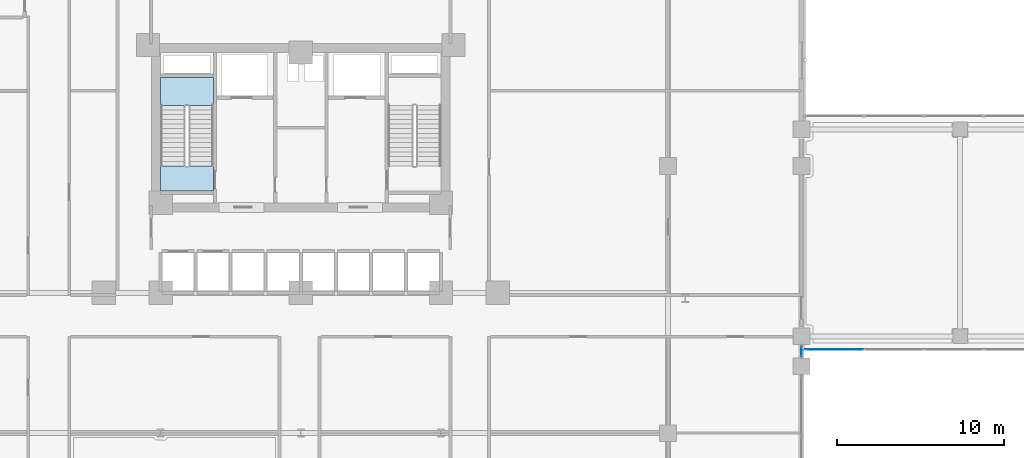
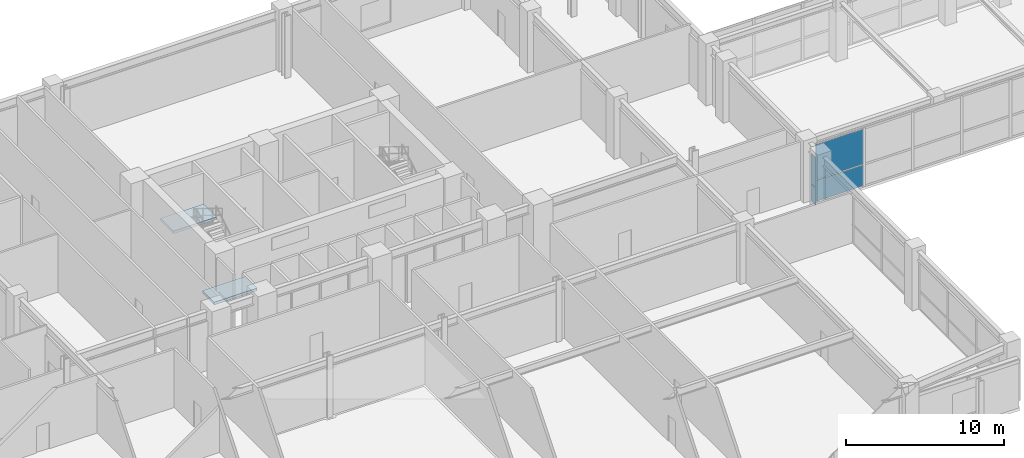
# One storey, part 30 of 48: 4 plates, 2 slabs, 3 elements without a shape of their own.
"""IFC4 building model written with IfcOpenShell, lengths in metres."""

from ifc_helpers import new_model, si_unit, derived_unit, direction, frame, origin, origin_2d, place, context, subcontext, project, spatial, polyline, rectangle, outline, extrude, source, transform, mapped, material, layer, layer_set, type_object, element, aggregate, save


model = new_model("IFC4")

# Units and contexts
model_context = context("Model", 3, precision=1e-05, world=origin(), true_north=direction((0.0, 1.0)))
body_context = subcontext(model_context, "Body", "Model", "MODEL_VIEW")
ifc_project = project(units=[si_unit("LENGTHUNIT", "METRE"), si_unit("AREAUNIT", "SQUARE_METRE"), si_unit("VOLUMEUNIT", "CUBIC_METRE"), si_unit("PLANEANGLEUNIT", "RADIAN"), si_unit("MASSUNIT", "GRAM", prefix="KILO"), derived_unit("THERMALTRANSMITTANCEUNIT", [(si_unit("POWERUNIT", "WATT"), 1), (si_unit("LENGTHUNIT", "METRE"), -2), (si_unit("THERMODYNAMICTEMPERATUREUNIT", "KELVIN"), -1)])], contexts=[model_context])

# Site, building, storey
site_placement = place(None, origin())
site = spatial("IfcSite", under=ifc_project, at=site_placement, CompositionType="ELEMENT")
building_placement = place(site_placement, origin())
building = spatial("IfcBuilding", under=site, at=building_placement, Name="Korsvarv Bourse and Concert Hall", CompositionType="ELEMENT")
storey_placement = place(building_placement, frame((0.0, 0.0, 4.800048828125)))
storey = spatial("IfcBuildingStorey", under=building, at=storey_placement, Name="L01", CompositionType="ELEMENT", Elevation=4.800048828125)

# Slab
ifc_material_1 = material(Name="Precast concrete C45/55", Category="concrete")
ifc_layer_1 = layer(ifc_material_1, 0.199951171875)
ifc_layer_set_1 = layer_set([ifc_layer_1], Name="Precast concrete C45/55")
slab_type_1 = type_object("IfcSlabType", Name="SLB-FLND-T", PredefinedType="LANDING", material=ifc_layer_set_1)
slab_1_placement = place(storey_placement, frame((0.0, 0.0, -0.199951171875)))
element("IfcSlab", 1, at=slab_1_placement, inside=storey, type_object=slab_type_1, Name="L01 Stair ST-T1 Floor Landing Slab", PredefinedType="LANDING", context=body_context, shape_type="SweptSolid", body=[
    extrude(outline(polyline([(30.760009765625, 38.5), (30.760009765625, 40.0), (27.60009765625, 40.0), (27.60009765625, 38.5), (30.760009765625, 38.5)])), origin(), (0.0, 0.0, 1.0), 0.199951171875),
])

# Stair, slab
stair_type = type_object("IfcStairType", Name="STR-TYPE-02", PredefinedType="HALF_TURN_STAIR", material=ifc_material_1)
stair_placement = place(storey_placement, origin())
stair = element("IfcStair", 2, at=stair_placement, inside=storey, type_object=stair_type, Name="L01 Tower West Exit Stair ST-T1", PredefinedType="HALF_TURN_STAIR")
ifc_layer_2 = layer(ifc_material_1, 0.199951171875)
ifc_layer_set_2 = layer_set([ifc_layer_2], Name="Precast concrete C45/55")
slab_type_2 = type_object("IfcSlabType", Name="SLB-ST-LND", PredefinedType="LANDING", material=ifc_layer_set_2)
slab_2_placement = place(storey_placement, frame((0.0, 0.0, 2.199951171875)))
slab_2 = element("IfcSlab", 3, at=slab_2_placement, type_object=slab_type_2, Name="ST-T1 landing 1", PredefinedType="LANDING", context=body_context, shape_type="SweptSolid", body=[
    extrude(outline(polyline([(30.760009765625, 43.639892578125), (30.760009765625, 45.300048828125), (27.60009765625, 45.300048828125), (27.60009765625, 43.639892578125), (30.760009765625, 43.639892578125)])), origin(), (0.0, 0.0, 1.0), 0.199951171875),
])
aggregate(stair, [slab_2])

# Curtain wall, plates
ifc_material_2 = material(Name="Anodised aluminium and triple low-E glazing", Category="glass")
ifc_layer_3 = layer(ifc_material_2, 0.239990234375)
ifc_layer_set_3 = layer_set([ifc_layer_3], Name="Anodised aluminium and triple low-E glazing")
curtain_wall_type = type_object("IfcCurtainWallType", Name="CW-SYS-5", PredefinedType="NOTDEFINED", material=ifc_layer_set_3)
curtain_wall_1_placement = place(storey_placement, origin())
curtain_wall_1 = element("IfcCurtainWall", 4, at=curtain_wall_1_placement, inside=storey, type_object=curtain_wall_type, Name="L01 CW5 curtain wall CW-L01-LKS", PredefinedType="NOTDEFINED")
ifc_material_3 = material(Name="Tempered triple insulated low-E architectural glass", Category="glass")
ifc_layer_4 = layer(ifc_material_3, 0.035888671875)
ifc_layer_set_4 = layer_set([ifc_layer_4], Name="Tempered triple insulated low-E architectural glass")
plate_type = type_object("IfcPlateType", Name="CWP-VIS1", PredefinedType="CURTAIN_PANEL", material=ifc_layer_set_4)
shared_shape_1 = source(origin(), body_context, "Body", "SweptSolid", [
    extrude(rectangle(XDim=3.47509765625, YDim=0.035888671875, at=origin_2d()), origin(), (0.0, 0.0, 1.0), 1.627685546875),
])
plate_1_placement = place(storey_placement, frame((67.967529296875, 29.0, 0.06494140625), z_axis=(0.0, 0.0, 1.0), x_axis=(1.0, 0.0, 0.0)))
plate_1 = element("IfcPlate", 5, at=plate_1_placement, type_object=plate_type, Name="CW5 panel 1.1", PredefinedType="CURTAIN_PANEL", context=body_context, shape_type="MappedRepresentation", body=[
    mapped(shared_shape_1, transform((0.0, 0.0, 0.0), scale=1.0)),
])
shared_shape_2 = source(origin(), body_context, "Body", "SweptSolid", [
    extrude(rectangle(XDim=3.47509765625, YDim=0.035888671875, at=origin_2d()), origin(), (0.0, 0.0, 1.0), 2.71728515625),
])
plate_2_placement = place(storey_placement, frame((67.967529296875, 29.0, 1.757568359375), z_axis=(0.0, 0.0, 1.0), x_axis=(1.0, 0.0, 0.0)))
plate_2 = element("IfcPlate", 6, at=plate_2_placement, type_object=plate_type, Name="CW5 panel 1.2", PredefinedType="CURTAIN_PANEL", context=body_context, shape_type="MappedRepresentation", body=[
    mapped(shared_shape_2, transform((0.0, 0.0, 0.0), scale=1.0)),
])
aggregate(curtain_wall_1, [plate_1, plate_2])

curtain_wall_2_placement = place(storey_placement, origin())
curtain_wall_2 = element("IfcCurtainWall", 7, at=curtain_wall_2_placement, inside=storey, type_object=curtain_wall_type, Name="L01 CW5 curtain wall CW-L01-E2-2", PredefinedType="NOTDEFINED")
shared_shape_3 = source(origin(), body_context, "Body", "SweptSolid", [
    extrude(rectangle(XDim=0.56005859375, YDim=0.035888671875, at=origin_2d()), origin(), (0.0, 0.0, 1.0), 1.35400390625),
])
plate_3_placement = place(storey_placement, frame((66.0, 28.89990234375, 0.06494140625), z_axis=(0.0, 0.0, 1.0), x_axis=(0.0, 1.0, 0.0)))
plate_3 = element("IfcPlate", 8, at=plate_3_placement, type_object=plate_type, Name="CW5 panel 1.1", PredefinedType="CURTAIN_PANEL", context=body_context, shape_type="MappedRepresentation", body=[
    mapped(shared_shape_3, transform((0.0, 0.0, 0.0), scale=1.0)),
])
shared_shape_4 = source(origin(), body_context, "Body", "SweptSolid", [
    extrude(rectangle(XDim=0.56005859375, YDim=0.035888671875, at=origin_2d()), origin(), (0.0, 0.0, 1.0), 2.27099609375),
])
plate_4_placement = place(storey_placement, frame((66.0, 28.89990234375, 1.48388671875), z_axis=(0.0, 0.0, 1.0), x_axis=(0.0, 1.0, 0.0)))
plate_4 = element("IfcPlate", 9, at=plate_4_placement, type_object=plate_type, Name="CW5 panel 1.2", PredefinedType="CURTAIN_PANEL", context=body_context, shape_type="MappedRepresentation", body=[
    mapped(shared_shape_4, transform((0.0, 0.0, 0.0), scale=1.0)),
])
aggregate(curtain_wall_2, [plate_3, plate_4])

save(model, "model.ifc")
